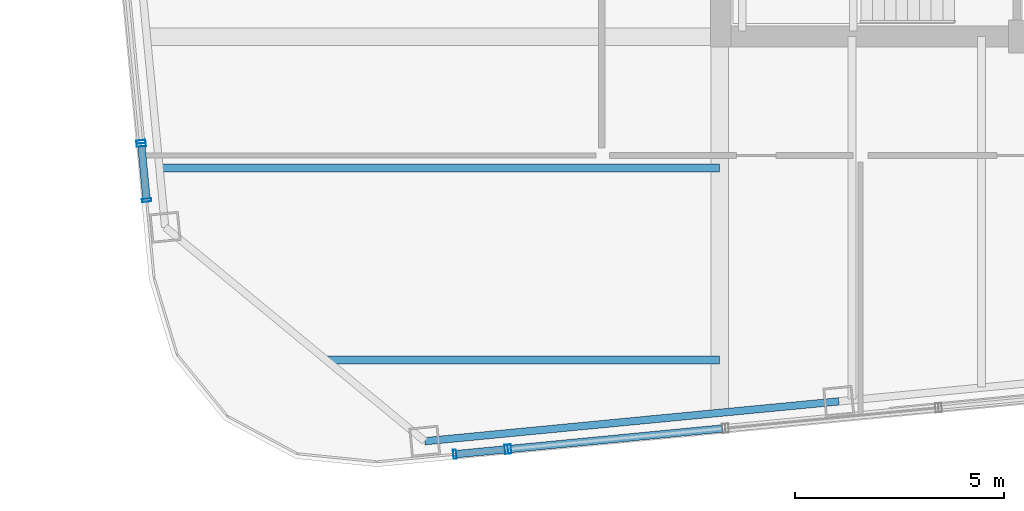
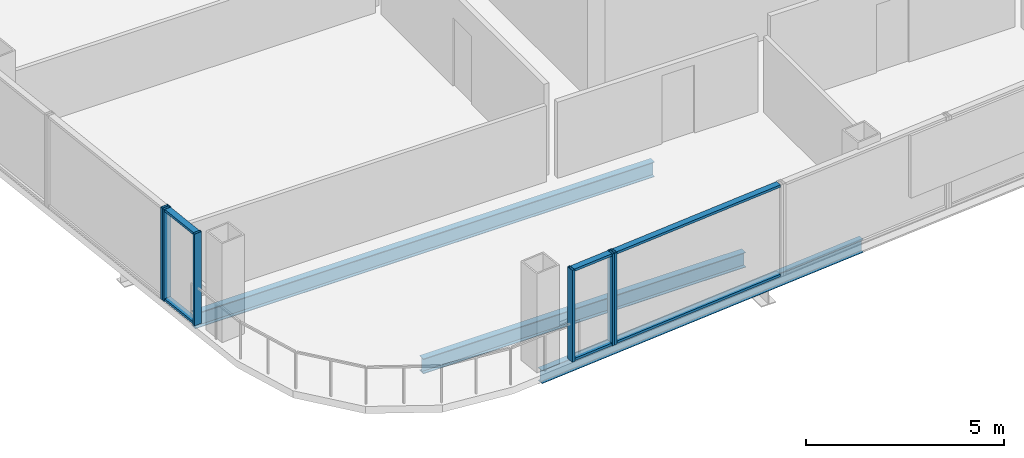
# One storey, part 2 of 29: 12 members, 3 beams, 4 elements without a shape of their own.
"""IFC4 building model written with IfcOpenShell, lengths in metres."""

from ifc_helpers import new_model, si_unit, direction, frame, origin, origin_2d, place, context, subcontext, project, spatial, hollow_rectangle, i_section, extrude, material, layer, layer_set, material_profile, profile_set, type_object, element, aggregate, save


model = new_model("IFC4")

# Units and contexts
model_context = context("Model", 3, precision=1e-05, world=origin(), true_north=direction((0.0, 1.0)))
body_context = subcontext(model_context, "Body", "Model", "MODEL_VIEW")
ifc_project = project(units=[si_unit("LENGTHUNIT", "METRE"), si_unit("AREAUNIT", "SQUARE_METRE"), si_unit("VOLUMEUNIT", "CUBIC_METRE"), si_unit("PLANEANGLEUNIT", "RADIAN"), si_unit("MASSUNIT", "GRAM", prefix="KILO")], contexts=[model_context])

# Site, building, storey
site_placement = place(None, origin())
site = spatial("IfcSite", under=ifc_project, at=site_placement, CompositionType="ELEMENT")
building_placement = place(site_placement, origin())
building = spatial("IfcBuilding", under=site, at=building_placement, Name="Qhalaya Broadcast Tower", CompositionType="ELEMENT")
storey_placement = place(building_placement, frame((0.0, 0.0, 177.5)))
storey = spatial("IfcBuildingStorey", under=building, at=storey_placement, Name="L52", CompositionType="ELEMENT", Elevation=177.5)

# Beams
ifc_material_1 = material(Name="Structural Steel ASTM A992 Grade 50", Category="steel")
ifc_material_profile_1 = material_profile(ifc_material_1, i_section(OverallWidth=0.19189453125, OverallDepth=0.462890625, WebThickness=0.010498046875, FlangeThickness=0.017578125, at=origin_2d()), Name="W18X60")
ifc_profile_set_1 = profile_set([ifc_material_profile_1], Name="Structural Steel ASTM A992 Grade 50")
beam_type_1 = type_object("IfcBeamType", Name="Composite Floor Joist J03", PredefinedType="JOIST", material=ifc_profile_set_1)
beam_1_placement = place(storey_placement, frame((-18.7734375, -16.5, -0.451416015625), z_axis=(1.0, 0.0, 0.0), x_axis=(0.0, 1.0, 0.0)))
element("IfcBeam", 1, at=beam_1_placement, inside=storey, type_object=beam_type_1, Name="L52 J03 L52-JWE1W-1", PredefinedType="JOIST", context=body_context, shape_type="SweptSolid", body=[
    extrude(i_section(OverallWidth=0.19189453125, OverallDepth=0.462890625, WebThickness=0.010498046875, FlangeThickness=0.017578125, at=origin_2d()), origin(), (0.0, 0.0, 1.0), 9.3984375),
])
beam_2_placement = place(storey_placement, frame((-22.77880859375, -11.89990234375, -0.451416015625), z_axis=(1.0, 0.0, 0.0), x_axis=(0.0, 1.0, 0.0)))
element("IfcBeam", 2, at=beam_2_placement, inside=storey, type_object=beam_type_1, Name="L52 J03 L52-JWE2W-1", PredefinedType="JOIST", context=body_context, shape_type="SweptSolid", body=[
    extrude(i_section(OverallWidth=0.19189453125, OverallDepth=0.462890625, WebThickness=0.010498046875, FlangeThickness=0.017578125, at=origin_2d()), origin(), (0.0, 0.0, 1.0), 13.40380859375),
])

# Curtain wall, members
ifc_material_2 = material(Name="Solar-Control Low-E Triple Glazing", Category="glass")
ifc_layer_1 = layer(ifc_material_2, 0.219970703125, Name="Solar-Control Low-E Triple Glazing")
ifc_layer_set_1 = layer_set([ifc_layer_1], Name="Solar-Control Low-E Triple Glazing")
curtain_wall_type_1 = type_object("IfcCurtainWallType", Name="Even-Block 4-Storey Double-Module Curtain Wall CW-03", PredefinedType="NOTDEFINED", material=ifc_layer_set_1)
curtain_wall_1_placement = place(storey_placement, origin())
curtain_wall_1 = element("IfcCurtainWall", 3, at=curtain_wall_1_placement, inside=storey, type_object=curtain_wall_type_1, Name="L52 Unitised Curtain Wall L52-CW-S1", PredefinedType="NOTDEFINED")
ifc_material_3 = material(Name="Anodised Aluminium 6063-T6", Category="aluminium")
ifc_material_profile_2 = material_profile(ifc_material_3, hollow_rectangle(XDim=0.074951171875, YDim=0.219970703125, WallThickness=0.00390625, at=origin_2d()), Name="ALU-MUL 75x220x4")
ifc_profile_set_2 = profile_set([ifc_material_profile_2], Name="Anodised Aluminium 6063-T6")
member_type_1 = type_object("IfcMemberType", Name="Unitised Curtain-Wall Mullion M01", PredefinedType="MULLION", material=ifc_profile_set_2)
member_1_placement = place(storey_placement, frame((-15.72119140625, -18.76025390625, 0.0), z_axis=(0.0, 0.0, 1.0), x_axis=(0.99539857312, 0.095821086563, 0.0)))
member_1 = element("IfcMember", 4, at=member_1_placement, type_object=member_type_1, Name="CW-03 mullion 1", PredefinedType="MULLION", context=body_context, shape_type="SweptSolid", body=[
    extrude(hollow_rectangle(XDim=0.074951171875, YDim=0.219970703125, WallThickness=0.00390625, at=origin_2d()), origin(), (0.0, 0.0, 1.0), 2.830078125),
])
member_2_placement = place(storey_placement, frame((-14.48681640625, -18.641357421875, 0.0), z_axis=(0.0, 0.0, 1.0), x_axis=(0.99539857312, 0.095821086563, 0.0)))
member_2 = element("IfcMember", 5, at=member_2_placement, type_object=member_type_1, Name="CW-03 mullion 2", PredefinedType="MULLION", context=body_context, shape_type="SweptSolid", body=[
    extrude(hollow_rectangle(XDim=0.074951171875, YDim=0.219970703125, WallThickness=0.00390625, at=origin_2d()), origin(), (0.0, 0.0, 1.0), 2.830078125),
])

# Curtain wall, member
ifc_material_4 = material(Name="Fired Architectural Terracotta", Category="masonry")
ifc_layer_2 = layer(ifc_material_4, 0.219970703125, Name="Fired Architectural Terracotta")
ifc_layer_set_2 = layer_set([ifc_layer_2], Name="Fired Architectural Terracotta")
curtain_wall_type_2 = type_object("IfcCurtainWallType", Name="Block-Cap Unitised Terracotta Spandrel Wall CW-07", PredefinedType="NOTDEFINED", material=ifc_layer_set_2)
curtain_wall_2_placement = place(storey_placement, origin())
curtain_wall_2 = element("IfcCurtainWall", 6, at=curtain_wall_2_placement, inside=storey, type_object=curtain_wall_type_2, Name="L52 Unitised Curtain Wall L52-CW-S2", PredefinedType="NOTDEFINED")
member_3_placement = place(storey_placement, frame((-14.412353515625, -18.63427734375, 0.0), z_axis=(0.0, 0.0, 1.0), x_axis=(0.995395267059, 0.095855424032, 0.0)))
member_3 = element("IfcMember", 7, at=member_3_placement, type_object=member_type_1, Name="CW-07 mullion 1", PredefinedType="MULLION", context=body_context, shape_type="SweptSolid", body=[
    extrude(hollow_rectangle(XDim=0.074951171875, YDim=0.219970703125, WallThickness=0.00390625, at=origin_2d()), origin(), (0.0, 0.0, 1.0), 2.830078125),
])

curtain_wall_3_placement = place(storey_placement, origin())
curtain_wall_3 = element("IfcCurtainWall", 8, at=curtain_wall_3_placement, inside=storey, type_object=curtain_wall_type_2, Name="L52 Unitised Curtain Wall L52-CW-W6", PredefinedType="NOTDEFINED")
member_4_placement = place(storey_placement, frame((-23.240966796875, -11.27392578125, 0.0), z_axis=(0.0, 0.0, 1.0), x_axis=(0.095846949325, -0.995396083127, 0.0)))
member_4 = element("IfcMember", 9, at=member_4_placement, type_object=member_type_1, Name="CW-07 mullion 2", PredefinedType="MULLION", context=body_context, shape_type="SweptSolid", body=[
    extrude(hollow_rectangle(XDim=0.074951171875, YDim=0.219970703125, WallThickness=0.00390625, at=origin_2d()), origin(), (0.0, 0.0, 1.0), 2.830078125),
])
aggregate(curtain_wall_3, [member_4])

# Curtain wall, members
curtain_wall_4_placement = place(storey_placement, origin())
curtain_wall_4 = element("IfcCurtainWall", 10, at=curtain_wall_4_placement, inside=storey, type_object=curtain_wall_type_1, Name="L52 Unitised Curtain Wall L52-CW-W7", PredefinedType="NOTDEFINED")
member_5_placement = place(storey_placement, frame((-23.233642578125, -11.3486328125, 0.0), z_axis=(0.0, 0.0, 1.0), x_axis=(0.095873796301, -0.99539349766, 0.0)))
member_5 = element("IfcMember", 11, at=member_5_placement, type_object=member_type_1, Name="CW-03 mullion 1", PredefinedType="MULLION", context=body_context, shape_type="SweptSolid", body=[
    extrude(hollow_rectangle(XDim=0.074951171875, YDim=0.219970703125, WallThickness=0.00390625, at=origin_2d()), origin(), (0.0, 0.0, 1.0), 2.830078125),
])
member_6_placement = place(storey_placement, frame((-23.106201171875, -12.67236328125, 0.0), z_axis=(0.0, 0.0, 1.0), x_axis=(0.095873796301, -0.99539349766, 0.0)))
member_6 = element("IfcMember", 12, at=member_6_placement, type_object=member_type_1, Name="CW-03 mullion 2", PredefinedType="MULLION", context=body_context, shape_type="SweptSolid", body=[
    extrude(hollow_rectangle(XDim=0.074951171875, YDim=0.219970703125, WallThickness=0.00390625, at=origin_2d()), origin(), (0.0, 0.0, 1.0), 2.830078125),
])

# Member
ifc_material_profile_3 = material_profile(ifc_material_3, hollow_rectangle(XDim=0.074951171875, YDim=0.179931640625, WallThickness=0.00390625, at=origin_2d()), Name="ALU-TRN 75x180x4")
ifc_profile_set_3 = profile_set([ifc_material_profile_3], Name="Anodised Aluminium 6063-T6")
member_type_2 = type_object("IfcMemberType", Name="Unitised Curtain-Wall Transom T01", PredefinedType="USERDEFINED", material=ifc_profile_set_3)
member_7_placement = place(storey_placement, frame((-15.683837890625, -18.756591796875, 0.03759765625), z_axis=(0.995403652262, 0.095768309281, 0.0), x_axis=(0.0, 0.0, 1.0)))
member_7 = element("IfcMember", 13, at=member_7_placement, type_object=member_type_2, Name="CW-03 transom 1.1", ObjectType="TRANSOM", PredefinedType="USERDEFINED", context=body_context, shape_type="SweptSolid", body=[
    extrude(hollow_rectangle(XDim=0.074951171875, YDim=0.179931640625, WallThickness=0.00390625, at=origin_2d()), origin(), (0.0, 0.0, 1.0), 1.1650390625),
])

member_8_placement = place(storey_placement, frame((-15.683837890625, -18.756591796875, 2.79248046875), z_axis=(0.995403652262, 0.095768309281, 0.0), x_axis=(0.0, 0.0, 1.0)))
member_8 = element("IfcMember", 14, at=member_8_placement, type_object=member_type_2, Name="CW-03 transom 1.2", ObjectType="TRANSOM", PredefinedType="USERDEFINED", context=body_context, shape_type="SweptSolid", body=[
    extrude(hollow_rectangle(XDim=0.074951171875, YDim=0.179931640625, WallThickness=0.00390625, at=origin_2d()), origin(), (0.0, 0.0, 1.0), 1.1650390625),
])

aggregate(curtain_wall_1, [member_1, member_2, member_7, member_8])

member_9_placement = place(storey_placement, frame((-14.375, -18.630615234375, 0.03759765625), z_axis=(0.995395035066, 0.095857833102, 0.0), x_axis=(0.0, 0.0, 1.0)))
member_9 = element("IfcMember", 15, at=member_9_placement, type_object=member_type_2, Name="CW-07 transom 1.1", ObjectType="TRANSOM", PredefinedType="USERDEFINED", context=body_context, shape_type="SweptSolid", body=[
    extrude(hollow_rectangle(XDim=0.074951171875, YDim=0.179931640625, WallThickness=0.00390625, at=origin_2d()), origin(), (0.0, 0.0, 1.0), 5.086181640625),
])

member_10_placement = place(storey_placement, frame((-14.375, -18.630615234375, 2.79248046875), z_axis=(0.995395035066, 0.095857833102, 0.0), x_axis=(0.0, 0.0, 1.0)))
member_10 = element("IfcMember", 16, at=member_10_placement, type_object=member_type_2, Name="CW-07 transom 1.2", ObjectType="TRANSOM", PredefinedType="USERDEFINED", context=body_context, shape_type="SweptSolid", body=[
    extrude(hollow_rectangle(XDim=0.074951171875, YDim=0.179931640625, WallThickness=0.00390625, at=origin_2d()), origin(), (0.0, 0.0, 1.0), 5.086181640625),
])

aggregate(curtain_wall_2, [member_3, member_9, member_10])

member_11_placement = place(storey_placement, frame((-23.230224609375, -11.385986328125, 0.03759765625), z_axis=(0.095901442522, -0.995390834458, 0.0), x_axis=(0.0, 0.0, 1.0)))
member_11 = element("IfcMember", 17, at=member_11_placement, type_object=member_type_2, Name="CW-03 transom 1.1", ObjectType="TRANSOM", PredefinedType="USERDEFINED", context=body_context, shape_type="SweptSolid", body=[
    extrude(hollow_rectangle(XDim=0.074951171875, YDim=0.179931640625, WallThickness=0.00390625, at=origin_2d()), origin(), (0.0, 0.0, 1.0), 1.255126953125),
])

member_12_placement = place(storey_placement, frame((-23.230224609375, -11.385986328125, 2.79248046875), z_axis=(0.095901442522, -0.995390834458, 0.0), x_axis=(0.0, 0.0, 1.0)))
member_12 = element("IfcMember", 18, at=member_12_placement, type_object=member_type_2, Name="CW-03 transom 1.2", ObjectType="TRANSOM", PredefinedType="USERDEFINED", context=body_context, shape_type="SweptSolid", body=[
    extrude(hollow_rectangle(XDim=0.074951171875, YDim=0.179931640625, WallThickness=0.00390625, at=origin_2d()), origin(), (0.0, 0.0, 1.0), 1.255126953125),
])

aggregate(curtain_wall_4, [member_5, member_6, member_11, member_12])

# Beam
ifc_material_profile_4 = material_profile(ifc_material_1, i_section(OverallWidth=0.177978515625, OverallDepth=0.406005859375, WebThickness=0.0078125, FlangeThickness=0.0126953125, at=origin_2d()), Name="W16X40")
ifc_profile_set_4 = profile_set([ifc_material_profile_4], Name="Structural Steel ASTM A992 Grade 50")
beam_type_2 = type_object("IfcBeamType", Name="Upper Perimeter Spandrel Beam SP2", PredefinedType="SPANDREL", material=ifc_profile_set_4)
beam_3_placement = place(storey_placement, frame((-16.44189453125, -18.44775390625, -0.423095703125), z_axis=(0.995397846936, 0.09582862993, 0.0), x_axis=(-0.09582862993, 0.995397846936, 0.0)))
element("IfcBeam", 19, at=beam_3_placement, inside=storey, type_object=beam_type_2, Name="L52 SP2 L52-SPR-01", PredefinedType="SPANDREL", context=body_context, shape_type="SweptSolid", body=[
    extrude(i_section(OverallWidth=0.177978515625, OverallDepth=0.406005859375, WebThickness=0.0078125, FlangeThickness=0.0126953125, at=origin_2d()), origin(), (0.0, 0.0, 1.0), 9.966552734375),
])

save(model, "model.ifc")
